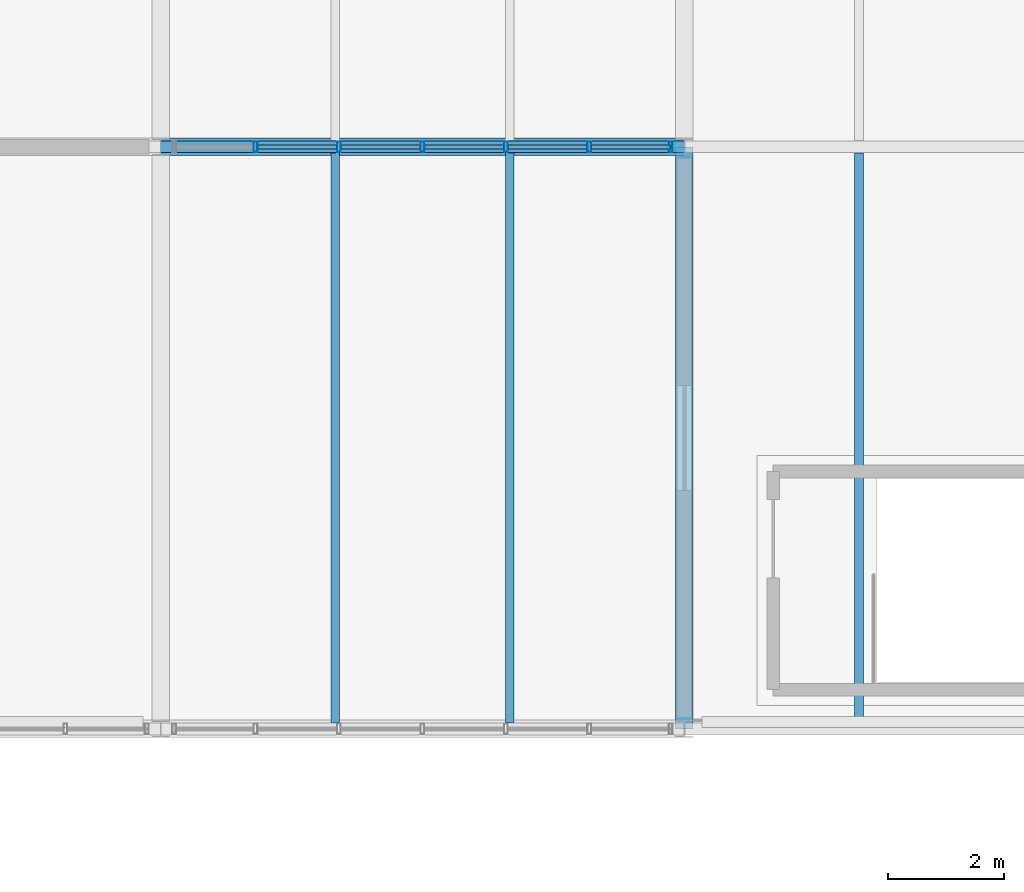
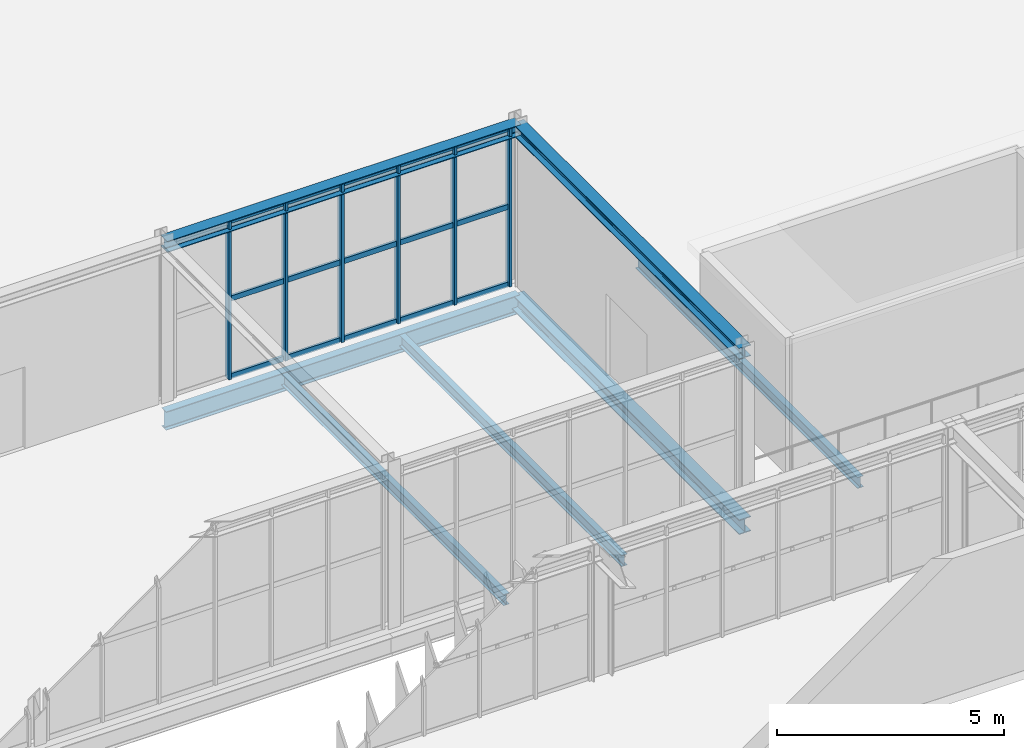
# One storey, part 69 of 152: 21 members, 7 beams, 1 element without a shape of its own.
"""IFC4 building model written with IfcOpenShell, lengths in metres."""

from ifc_helpers import new_model, si_unit, derived_unit, direction, frame, origin, origin_2d, place, context, subcontext, project, spatial, hollow_rectangle, i_section, extrude, material, material_profile, profile_set, type_object, element, aggregate, save


model = new_model("IFC4")

# Units and contexts
model_context = context("Model", 3, precision=1e-05, world=origin(), true_north=direction((0.0, 1.0)))
body_context = subcontext(model_context, "Body", "Model", "MODEL_VIEW")
ifc_project = project(units=[si_unit("LENGTHUNIT", "METRE"), si_unit("AREAUNIT", "SQUARE_METRE"), si_unit("VOLUMEUNIT", "CUBIC_METRE"), si_unit("PLANEANGLEUNIT", "RADIAN"), si_unit("MASSUNIT", "GRAM", prefix="KILO"), si_unit("THERMODYNAMICTEMPERATUREUNIT", "KELVIN"), si_unit("TIMEUNIT", "SECOND"), derived_unit("THERMALTRANSMITTANCEUNIT", [(si_unit("MASSUNIT", "GRAM", prefix="KILO"), 1), (si_unit("THERMODYNAMICTEMPERATUREUNIT", "KELVIN"), -1), (si_unit("TIMEUNIT", "SECOND"), -3)])], contexts=[model_context])

# Site, building, storey
site_placement = place(None, origin())
site = spatial("IfcSite", under=ifc_project, at=site_placement, CompositionType="ELEMENT")
building_placement = place(site_placement, origin())
building = spatial("IfcBuilding", under=site, at=building_placement, Name="Cambertide Market Hall", CompositionType="ELEMENT")
storey_placement = place(building_placement, frame((0.0, 0.0, 5.39990234375)))
storey = spatial("IfcBuildingStorey", under=building, at=storey_placement, Name="L02", CompositionType="ELEMENT", Elevation=5.39990234375)

# Curtain wall, members
ifc_material_1 = material(Name="Marine Anodized Aluminium 6063-T6 AA25", Category="aluminium")
curtain_wall_type = type_object("IfcCurtainWallType", Name="Herb Tea Pavilion Terrace Glazed Wall", PredefinedType="USERDEFINED", material=ifc_material_1)
curtain_wall_placement = place(storey_placement, origin())
curtain_wall = element("IfcCurtainWall", 1, at=curtain_wall_placement, inside=storey, type_object=curtain_wall_type, Name="Level 2 Curtain Wall CW-V2PAV-N-7", ObjectType="UNITIZED CURTAIN WALL", PredefinedType="USERDEFINED")
ifc_material_2 = material(Name="Champagne Marine Anodized Aluminium 6063-T6 AA25", Category="aluminium")
ifc_material_profile_1 = material_profile(ifc_material_2, hollow_rectangle(XDim=0.06494140625, YDim=0.179931640625, WallThickness=0.00390625, at=origin_2d()), Name="ALU MULLION 65x180")
ifc_profile_set_1 = profile_set([ifc_material_profile_1], Name="Champagne Marine Anodized Aluminium 6063-T6 AA25")
member_type_1 = type_object("IfcMemberType", Name="Curtain Wall Mullion ALU MULLION 65x180", PredefinedType="MULLION", material=ifc_profile_set_1)
member_1_placement = place(storey_placement, frame((76.63330078125, 106.0, 0.0), z_axis=(0.0, 0.0, 1.0), x_axis=(1.0, 0.0, 0.0)))
member_1 = element("IfcMember", 2, at=member_1_placement, type_object=member_type_1, Name="CW-V2PAV-N-7 Mullion 2", PredefinedType="MULLION", context=body_context, shape_type="SweptSolid", body=[
    extrude(hollow_rectangle(XDim=0.06494140625, YDim=0.179931640625, WallThickness=0.00390625, at=origin_2d()), origin(), (0.0, 0.0, 1.0), 4.25),
])
member_2_placement = place(storey_placement, frame((78.066650390625, 106.0, 0.0), z_axis=(0.0, 0.0, 1.0), x_axis=(1.0, 0.0, 0.0)))
member_2 = element("IfcMember", 3, at=member_2_placement, type_object=member_type_1, Name="CW-V2PAV-N-7 Mullion 3", PredefinedType="MULLION", context=body_context, shape_type="SweptSolid", body=[
    extrude(hollow_rectangle(XDim=0.06494140625, YDim=0.179931640625, WallThickness=0.00390625, at=origin_2d()), origin(), (0.0, 0.0, 1.0), 4.25),
])
member_3_placement = place(storey_placement, frame((79.5, 106.0, 0.0), z_axis=(0.0, 0.0, 1.0), x_axis=(1.0, 0.0, 0.0)))
member_3 = element("IfcMember", 4, at=member_3_placement, type_object=member_type_1, Name="CW-V2PAV-N-7 Mullion 4", PredefinedType="MULLION", context=body_context, shape_type="SweptSolid", body=[
    extrude(hollow_rectangle(XDim=0.06494140625, YDim=0.179931640625, WallThickness=0.00390625, at=origin_2d()), origin(), (0.0, 0.0, 1.0), 4.25),
])
member_4_placement = place(storey_placement, frame((80.933349609375, 106.0, 0.0), z_axis=(0.0, 0.0, 1.0), x_axis=(1.0, 0.0, 0.0)))
member_4 = element("IfcMember", 5, at=member_4_placement, type_object=member_type_1, Name="CW-V2PAV-N-7 Mullion 5", PredefinedType="MULLION", context=body_context, shape_type="SweptSolid", body=[
    extrude(hollow_rectangle(XDim=0.06494140625, YDim=0.179931640625, WallThickness=0.00390625, at=origin_2d()), origin(), (0.0, 0.0, 1.0), 4.25),
])
member_5_placement = place(storey_placement, frame((82.36669921875, 106.0, 0.0), z_axis=(0.0, 0.0, 1.0), x_axis=(1.0, 0.0, 0.0)))
member_5 = element("IfcMember", 6, at=member_5_placement, type_object=member_type_1, Name="CW-V2PAV-N-7 Mullion 6", PredefinedType="MULLION", context=body_context, shape_type="SweptSolid", body=[
    extrude(hollow_rectangle(XDim=0.06494140625, YDim=0.179931640625, WallThickness=0.00390625, at=origin_2d()), origin(), (0.0, 0.0, 1.0), 4.25),
])
member_6_placement = place(storey_placement, frame((83.764892578125, 106.0, 0.0), z_axis=(0.0, 0.0, 1.0), x_axis=(1.0, 0.0, 0.0)))
member_6 = element("IfcMember", 7, at=member_6_placement, type_object=member_type_1, Name="CW-V2PAV-N-7 Mullion 7", PredefinedType="MULLION", context=body_context, shape_type="SweptSolid", body=[
    extrude(hollow_rectangle(XDim=0.06494140625, YDim=0.179931640625, WallThickness=0.00390625, at=origin_2d()), origin(), (0.0, 0.0, 1.0), 4.25),
])
ifc_material_3 = material(Name="Champagne Marine Anodized Aluminium 6063-T6 AA25", Category="aluminium")
ifc_material_profile_2 = material_profile(ifc_material_3, hollow_rectangle(XDim=0.06494140625, YDim=0.139892578125, WallThickness=0.00341796875, at=origin_2d()), Name="ALU TRANSOM 65x140")
ifc_profile_set_2 = profile_set([ifc_material_profile_2], Name="Champagne Marine Anodized Aluminium 6063-T6 AA25")
member_type_2 = type_object("IfcMemberType", Name="Curtain Wall Transom ALU TRANSOM 65x140", PredefinedType="USERDEFINED", material=ifc_profile_set_2)
member_7_placement = place(storey_placement, frame((76.67333984375, 106.0, 0.03515625), z_axis=(1.0, 0.0, 0.0), x_axis=(0.0, 1.0, 0.0)))
member_7 = element("IfcMember", 8, at=member_7_placement, type_object=member_type_2, Name="CW-V2PAV-N-7 Transom 1-2", ObjectType="TRANSOM", PredefinedType="USERDEFINED", context=body_context, shape_type="SweptSolid", body=[
    extrude(hollow_rectangle(XDim=0.06494140625, YDim=0.139892578125, WallThickness=0.00341796875, at=origin_2d()), origin(), (0.0, 0.0, 1.0), 1.353271484375),
])
member_8_placement = place(storey_placement, frame((78.106689453125, 106.0, 0.03515625), z_axis=(1.0, 0.0, 0.0), x_axis=(0.0, 1.0, 0.0)))
member_8 = element("IfcMember", 9, at=member_8_placement, type_object=member_type_2, Name="CW-V2PAV-N-7 Transom 1-3", ObjectType="TRANSOM", PredefinedType="USERDEFINED", context=body_context, shape_type="SweptSolid", body=[
    extrude(hollow_rectangle(XDim=0.06494140625, YDim=0.139892578125, WallThickness=0.00341796875, at=origin_2d()), origin(), (0.0, 0.0, 1.0), 1.353271484375),
])
member_9_placement = place(storey_placement, frame((79.5400390625, 106.0, 0.03515625), z_axis=(1.0, 0.0, 0.0), x_axis=(0.0, 1.0, 0.0)))
member_9 = element("IfcMember", 10, at=member_9_placement, type_object=member_type_2, Name="CW-V2PAV-N-7 Transom 1-4", ObjectType="TRANSOM", PredefinedType="USERDEFINED", context=body_context, shape_type="SweptSolid", body=[
    extrude(hollow_rectangle(XDim=0.06494140625, YDim=0.139892578125, WallThickness=0.00341796875, at=origin_2d()), origin(), (0.0, 0.0, 1.0), 1.353271484375),
])
member_10_placement = place(storey_placement, frame((80.973388671875, 106.0, 0.03515625), z_axis=(1.0, 0.0, 0.0), x_axis=(0.0, 1.0, 0.0)))
member_10 = element("IfcMember", 11, at=member_10_placement, type_object=member_type_2, Name="CW-V2PAV-N-7 Transom 1-5", ObjectType="TRANSOM", PredefinedType="USERDEFINED", context=body_context, shape_type="SweptSolid", body=[
    extrude(hollow_rectangle(XDim=0.06494140625, YDim=0.139892578125, WallThickness=0.00341796875, at=origin_2d()), origin(), (0.0, 0.0, 1.0), 1.353271484375),
])
member_11_placement = place(storey_placement, frame((82.40673828125, 106.0, 0.03515625), z_axis=(1.0, 0.0, 0.0), x_axis=(0.0, 1.0, 0.0)))
member_11 = element("IfcMember", 12, at=member_11_placement, type_object=member_type_2, Name="CW-V2PAV-N-7 Transom 1-6", ObjectType="TRANSOM", PredefinedType="USERDEFINED", context=body_context, shape_type="SweptSolid", body=[
    extrude(hollow_rectangle(XDim=0.06494140625, YDim=0.139892578125, WallThickness=0.00341796875, at=origin_2d()), origin(), (0.0, 0.0, 1.0), 1.353271484375),
])
member_12_placement = place(storey_placement, frame((76.67333984375, 106.0, 2.125), z_axis=(1.0, 0.0, 0.0), x_axis=(0.0, 1.0, 0.0)))
member_12 = element("IfcMember", 13, at=member_12_placement, type_object=member_type_2, Name="CW-V2PAV-N-7 Transom 2-2", ObjectType="TRANSOM", PredefinedType="USERDEFINED", context=body_context, shape_type="SweptSolid", body=[
    extrude(hollow_rectangle(XDim=0.06494140625, YDim=0.139892578125, WallThickness=0.00341796875, at=origin_2d()), origin(), (0.0, 0.0, 1.0), 1.353271484375),
])
member_13_placement = place(storey_placement, frame((78.106689453125, 106.0, 2.125), z_axis=(1.0, 0.0, 0.0), x_axis=(0.0, 1.0, 0.0)))
member_13 = element("IfcMember", 14, at=member_13_placement, type_object=member_type_2, Name="CW-V2PAV-N-7 Transom 2-3", ObjectType="TRANSOM", PredefinedType="USERDEFINED", context=body_context, shape_type="SweptSolid", body=[
    extrude(hollow_rectangle(XDim=0.06494140625, YDim=0.139892578125, WallThickness=0.00341796875, at=origin_2d()), origin(), (0.0, 0.0, 1.0), 1.353271484375),
])
member_14_placement = place(storey_placement, frame((79.5400390625, 106.0, 2.125), z_axis=(1.0, 0.0, 0.0), x_axis=(0.0, 1.0, 0.0)))
member_14 = element("IfcMember", 15, at=member_14_placement, type_object=member_type_2, Name="CW-V2PAV-N-7 Transom 2-4", ObjectType="TRANSOM", PredefinedType="USERDEFINED", context=body_context, shape_type="SweptSolid", body=[
    extrude(hollow_rectangle(XDim=0.06494140625, YDim=0.139892578125, WallThickness=0.00341796875, at=origin_2d()), origin(), (0.0, 0.0, 1.0), 1.353271484375),
])
member_15_placement = place(storey_placement, frame((80.973388671875, 106.0, 2.125), z_axis=(1.0, 0.0, 0.0), x_axis=(0.0, 1.0, 0.0)))
member_15 = element("IfcMember", 16, at=member_15_placement, type_object=member_type_2, Name="CW-V2PAV-N-7 Transom 2-5", ObjectType="TRANSOM", PredefinedType="USERDEFINED", context=body_context, shape_type="SweptSolid", body=[
    extrude(hollow_rectangle(XDim=0.06494140625, YDim=0.139892578125, WallThickness=0.00341796875, at=origin_2d()), origin(), (0.0, 0.0, 1.0), 1.353271484375),
])
member_16_placement = place(storey_placement, frame((82.40673828125, 106.0, 2.125), z_axis=(1.0, 0.0, 0.0), x_axis=(0.0, 1.0, 0.0)))
member_16 = element("IfcMember", 17, at=member_16_placement, type_object=member_type_2, Name="CW-V2PAV-N-7 Transom 2-6", ObjectType="TRANSOM", PredefinedType="USERDEFINED", context=body_context, shape_type="SweptSolid", body=[
    extrude(hollow_rectangle(XDim=0.06494140625, YDim=0.139892578125, WallThickness=0.00341796875, at=origin_2d()), origin(), (0.0, 0.0, 1.0), 1.353271484375),
])
member_17_placement = place(storey_placement, frame((76.67333984375, 106.0, 4.215087890625), z_axis=(1.0, 0.0, 0.0), x_axis=(0.0, 1.0, 0.0)))
member_17 = element("IfcMember", 18, at=member_17_placement, type_object=member_type_2, Name="CW-V2PAV-N-7 Transom 3-2", ObjectType="TRANSOM", PredefinedType="USERDEFINED", context=body_context, shape_type="SweptSolid", body=[
    extrude(hollow_rectangle(XDim=0.06494140625, YDim=0.139892578125, WallThickness=0.00341796875, at=origin_2d()), origin(), (0.0, 0.0, 1.0), 1.353271484375),
])
member_18_placement = place(storey_placement, frame((78.106689453125, 106.0, 4.215087890625), z_axis=(1.0, 0.0, 0.0), x_axis=(0.0, 1.0, 0.0)))
member_18 = element("IfcMember", 19, at=member_18_placement, type_object=member_type_2, Name="CW-V2PAV-N-7 Transom 3-3", ObjectType="TRANSOM", PredefinedType="USERDEFINED", context=body_context, shape_type="SweptSolid", body=[
    extrude(hollow_rectangle(XDim=0.06494140625, YDim=0.139892578125, WallThickness=0.00341796875, at=origin_2d()), origin(), (0.0, 0.0, 1.0), 1.353271484375),
])
member_19_placement = place(storey_placement, frame((79.5400390625, 106.0, 4.215087890625), z_axis=(1.0, 0.0, 0.0), x_axis=(0.0, 1.0, 0.0)))
member_19 = element("IfcMember", 20, at=member_19_placement, type_object=member_type_2, Name="CW-V2PAV-N-7 Transom 3-4", ObjectType="TRANSOM", PredefinedType="USERDEFINED", context=body_context, shape_type="SweptSolid", body=[
    extrude(hollow_rectangle(XDim=0.06494140625, YDim=0.139892578125, WallThickness=0.00341796875, at=origin_2d()), origin(), (0.0, 0.0, 1.0), 1.353271484375),
])
member_20_placement = place(storey_placement, frame((80.973388671875, 106.0, 4.215087890625), z_axis=(1.0, 0.0, 0.0), x_axis=(0.0, 1.0, 0.0)))
member_20 = element("IfcMember", 21, at=member_20_placement, type_object=member_type_2, Name="CW-V2PAV-N-7 Transom 3-5", ObjectType="TRANSOM", PredefinedType="USERDEFINED", context=body_context, shape_type="SweptSolid", body=[
    extrude(hollow_rectangle(XDim=0.06494140625, YDim=0.139892578125, WallThickness=0.00341796875, at=origin_2d()), origin(), (0.0, 0.0, 1.0), 1.353271484375),
])
member_21_placement = place(storey_placement, frame((82.40673828125, 106.0, 4.215087890625), z_axis=(1.0, 0.0, 0.0), x_axis=(0.0, 1.0, 0.0)))
member_21 = element("IfcMember", 22, at=member_21_placement, type_object=member_type_2, Name="CW-V2PAV-N-7 Transom 3-6", ObjectType="TRANSOM", PredefinedType="USERDEFINED", context=body_context, shape_type="SweptSolid", body=[
    extrude(hollow_rectangle(XDim=0.06494140625, YDim=0.139892578125, WallThickness=0.00341796875, at=origin_2d()), origin(), (0.0, 0.0, 1.0), 1.353271484375),
])
aggregate(curtain_wall, [member_1, member_2, member_3, member_4, member_5, member_6, member_7, member_8, member_9, member_10, member_11, member_12, member_13, member_14, member_15, member_16, member_17, member_18, member_19, member_20, member_21])

# Beams
ifc_material_4 = material(Name="Steel S355", Category="steel")
ifc_material_profile_3 = material_profile(ifc_material_4, i_section(OverallWidth=0.300048828125, OverallDepth=0.300048828125, WebThickness=0.010986328125, FlangeThickness=0.01904296875, FilletRadius=0.027099609375, at=origin_2d()), Name="HEB 300")
ifc_profile_set_3 = profile_set([ifc_material_profile_3], Name="Steel S355")
beam_type_1 = type_object("IfcBeamType", Name="Exterior Steel Girder HEB 300", PredefinedType="BEAM", material=ifc_profile_set_3)
beam_1_placement = place(storey_placement, frame((75.0, 106.0, 4.170166015625), z_axis=(1.0, 0.0, 0.0), x_axis=(0.0, 1.0, 0.0)))
element("IfcBeam", 23, at=beam_1_placement, inside=storey, type_object=beam_type_1, Name="Level 2 Beam BM-V2PAV-X-7-1", PredefinedType="BEAM", context=body_context, shape_type="SweptSolid", body=[
    extrude(i_section(OverallWidth=0.300048828125, OverallDepth=0.300048828125, WebThickness=0.010986328125, FlangeThickness=0.01904296875, FilletRadius=0.027099609375, at=origin_2d()), origin(), (0.0, 0.0, 1.0), 9.0),
])
beam_2_placement = place(storey_placement, frame((84.0, 96.0, 4.170166015625), z_axis=(0.0, 1.0, 0.0), x_axis=(-1.0, 0.0, 0.0)))
element("IfcBeam", 24, at=beam_2_placement, inside=storey, type_object=beam_type_1, Name="Level 2 Beam BM-V2PAV-Y-8", PredefinedType="BEAM", context=body_context, shape_type="SweptSolid", body=[
    extrude(i_section(OverallWidth=0.300048828125, OverallDepth=0.300048828125, WebThickness=0.010986328125, FlangeThickness=0.01904296875, FilletRadius=0.027099609375, at=origin_2d()), origin(), (0.0, 0.0, 1.0), 10.0),
])
ifc_material_5 = material(Name="Steel S355", Category="steel")
ifc_material_profile_4 = material_profile(ifc_material_5, i_section(OverallWidth=0.300048828125, OverallDepth=0.39990234375, WebThickness=0.013427734375, FlangeThickness=0.02392578125, FilletRadius=0.027099609375, at=origin_2d()), Name="HEB 400")
ifc_profile_set_4 = profile_set([ifc_material_profile_4], Name="Steel S355")
beam_type_2 = type_object("IfcBeamType", Name="Steel Girder HEB 400", PredefinedType="BEAM", material=ifc_profile_set_4)
beam_3_placement = place(storey_placement, frame((84.0, 96.0, -0.489990234375), z_axis=(0.0, 1.0, 0.0), x_axis=(-1.0, 0.0, 0.0)))
element("IfcBeam", 25, at=beam_3_placement, inside=storey, type_object=beam_type_2, Name="Level 2 Beam BM-V2Y-L02-9-1", PredefinedType="BEAM", context=body_context, shape_type="SweptSolid", body=[
    extrude(i_section(OverallWidth=0.300048828125, OverallDepth=0.39990234375, WebThickness=0.013427734375, FlangeThickness=0.02392578125, FilletRadius=0.027099609375, at=origin_2d()), origin(), (0.0, 0.0, 1.0), 10.0),
])
ifc_material_6 = material(Name="Steel S355", Category="steel")
ifc_material_profile_5 = material_profile(ifc_material_6, i_section(OverallWidth=0.199951171875, OverallDepth=0.5, WebThickness=0.01025390625, FlangeThickness=0.01611328125, FilletRadius=0.02099609375, at=origin_2d()), Name="IPE 500")
ifc_profile_set_5 = profile_set([ifc_material_profile_5], Name="Steel S355")
beam_type_3 = type_object("IfcBeamType", Name="Steel Girder IPE 500", PredefinedType="BEAM", material=ifc_profile_set_5)
beam_4_placement = place(storey_placement, frame((75.0, 106.0, -0.539794921875), z_axis=(1.0, 0.0, 0.0), x_axis=(0.0, 1.0, 0.0)))
element("IfcBeam", 26, at=beam_4_placement, inside=storey, type_object=beam_type_3, Name="Level 2 Beam BM-V2X-L02-8-2", PredefinedType="BEAM", context=body_context, shape_type="SweptSolid", body=[
    extrude(i_section(OverallWidth=0.199951171875, OverallDepth=0.5, WebThickness=0.01025390625, FlangeThickness=0.01611328125, FilletRadius=0.02099609375, at=origin_2d()), origin(), (0.0, 0.0, 1.0), 9.0),
])
ifc_material_7 = material(Name="Steel S275", Category="steel")
ifc_material_profile_6 = material_profile(ifc_material_7, i_section(OverallWidth=0.14990234375, OverallDepth=0.300048828125, WebThickness=0.007080078125, FlangeThickness=0.0107421875, FilletRadius=0.014892578125, at=origin_2d()), Name="IPE 300")
ifc_profile_set_6 = profile_set([ifc_material_profile_6], Name="Steel S275")
beam_type_4 = type_object("IfcBeamType", Name="Steel Secondary Joist IPE 300", PredefinedType="JOIST", material=ifc_profile_set_6)
for number, where, z_axis, x_axis, name in (
    (27, (78.0, 96.10791015625, -0.43994140625), (0.0, 1.0, 0.0), (-1.0, 0.0, 0.0), "Level 2 Joist JS-V2-L02-8-1-1"),
    (28, (81.0, 96.10791015625, -0.43994140625), (0.0, 1.0, 0.0), (-1.0, 0.0, 0.0), "Level 2 Joist JS-V2-L02-8-1-2"),
    (29, (87.0, 96.10791015625, -0.43994140625), (0.0, 1.0, 0.0), (-1.0, 0.0, 0.0), "Level 2 Joist JS-V2-L02-9-1-1"),
):
    element("IfcBeam", number, at=place(storey_placement, frame(where, z_axis=z_axis, x_axis=x_axis)), inside=storey, type_object=beam_type_4, Name=name, PredefinedType="JOIST", context=body_context, shape_type="SweptSolid", body=[
        extrude(i_section(OverallWidth=0.14990234375, OverallDepth=0.300048828125, WebThickness=0.007080078125, FlangeThickness=0.0107421875, FilletRadius=0.014892578125, at=origin_2d()), origin(), (0.0, 0.0, 1.0), 9.7841796875),
    ])

save(model, "model.ifc")
